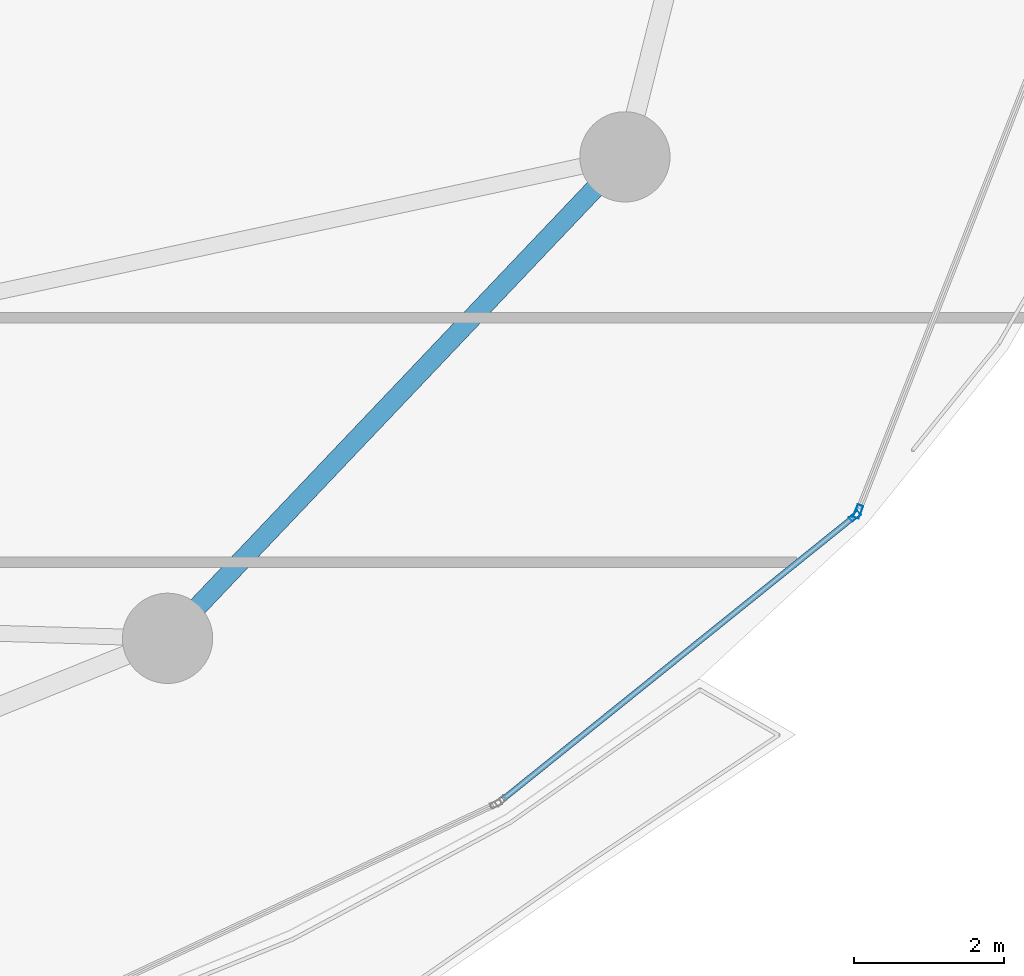
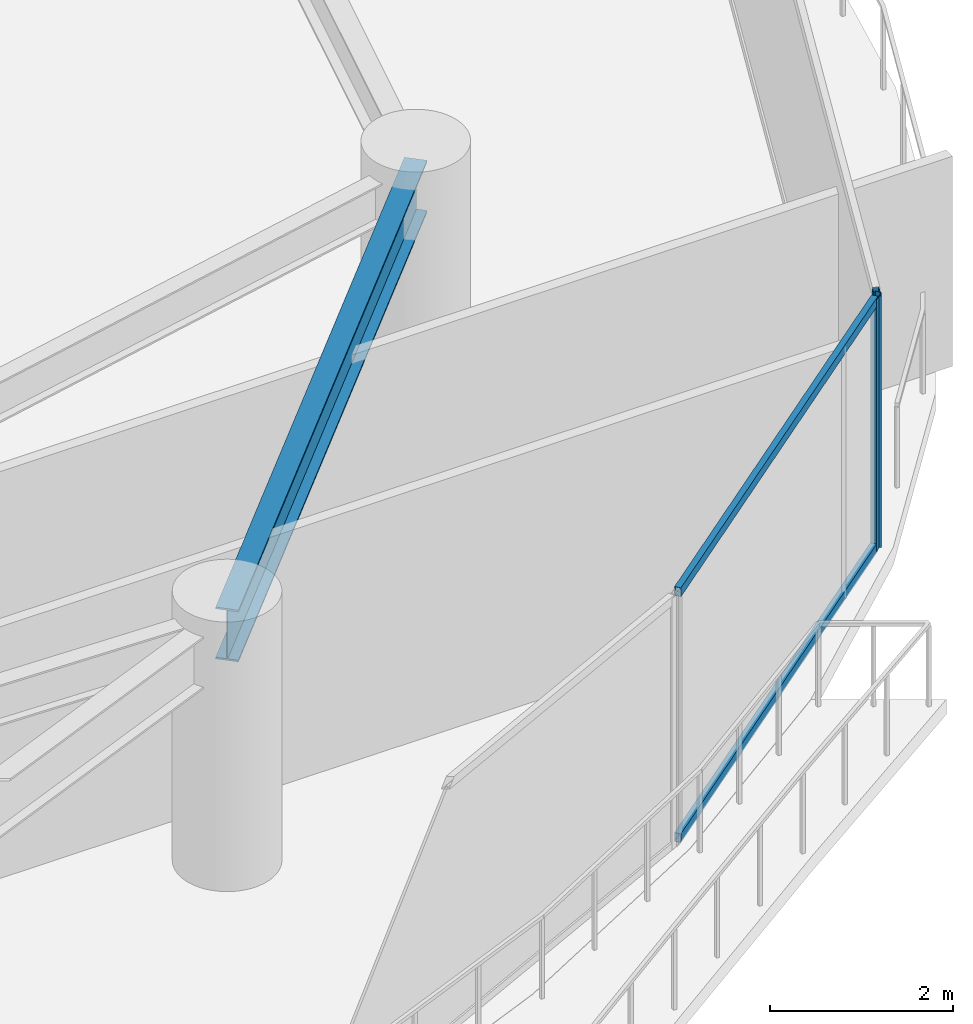
# One storey, part 15 of 33: 4 members, 1 beam, 2 elements without a shape of their own.
"""IFC4 building model written with IfcOpenShell, lengths in metres."""

from ifc_helpers import new_model, si_unit, direction, frame, origin, origin_2d, place, context, subcontext, project, spatial, hollow_rectangle, i_section, extrude, material, layer, layer_set, material_profile, profile_set, type_object, element, aggregate, save


model = new_model("IFC4")

# Units and contexts
model_context = context("Model", 3, precision=1e-05, world=origin(), true_north=direction((0.0, 1.0)))
body_context = subcontext(model_context, "Body", "Model", "MODEL_VIEW")
ifc_project = project(units=[si_unit("LENGTHUNIT", "METRE"), si_unit("AREAUNIT", "SQUARE_METRE"), si_unit("VOLUMEUNIT", "CUBIC_METRE"), si_unit("PLANEANGLEUNIT", "RADIAN"), si_unit("MASSUNIT", "GRAM", prefix="KILO")], contexts=[model_context])

# Site, building, storey
site_placement = place(None, origin())
site = spatial("IfcSite", under=ifc_project, at=site_placement, CompositionType="ELEMENT")
building_placement = place(site_placement, origin())
building = spatial("IfcBuilding", under=site, at=building_placement, Name="Kazevale Care Tower and Concert Hall", CompositionType="ELEMENT")
storey_placement = place(building_placement, frame((0.0, 0.0, 153.0)))
storey = spatial("IfcBuildingStorey", under=building, at=storey_placement, Name="L40", CompositionType="ELEMENT", Elevation=153.0)

# Curtain wall, member
ifc_material_1 = material(Name="Aluminium 6063-T6 and Low-E Glass", Category="aluminium")
ifc_layer_1 = layer(ifc_material_1, 0.179931640625)
ifc_layer_set_1 = layer_set([ifc_layer_1], Name="Aluminium 6063-T6 and Low-E Glass")
curtain_wall_type_1 = type_object("IfcCurtainWallType", Name="Waist & Upper Residential Curtain Wall CW-4", PredefinedType="NOTDEFINED", material=ifc_layer_set_1)
curtain_wall_1_placement = place(storey_placement, origin())
curtain_wall_1 = element("IfcCurtainWall", 1, at=curtain_wall_1_placement, inside=storey, type_object=curtain_wall_type_1, Name="cw:L40:f01", PredefinedType="NOTDEFINED")
ifc_material_2 = material(Name="Aluminium 6063-T6", Category="aluminium")
ifc_material_profile_1 = material_profile(ifc_material_2, hollow_rectangle(XDim=0.080078125, YDim=0.179931640625, WallThickness=0.0048828125, at=origin_2d()), Name="ALU80x180x5")
ifc_profile_set_1 = profile_set([ifc_material_profile_1], Name="Aluminium 6063-T6")
member_type_1 = type_object("IfcMemberType", Name="CW-4 Mullion ALU80x180x5", PredefinedType="MULLION", material=ifc_profile_set_1)
member_1_placement = place(storey_placement, frame((74.010498046875, 24.67529296875, 0.0), z_axis=(0.0, 0.0, 1.0), x_axis=(0.931351746651, -0.36412075471, 0.0)))
member_1 = element("IfcMember", 2, at=member_1_placement, type_object=member_type_1, Name="CW-4 mullion 2", PredefinedType="MULLION", context=body_context, shape_type="SweptSolid", body=[
    extrude(hollow_rectangle(XDim=0.080078125, YDim=0.179931640625, WallThickness=0.0048828125, at=origin_2d()), origin(), (0.0, 0.0, 1.0), 3.360107421875),
])
aggregate(curtain_wall_1, [member_1])

# Curtain wall, members
ifc_layer_2 = layer(ifc_material_1, 0.179931640625)
ifc_layer_set_2 = layer_set([ifc_layer_2], Name="Aluminium 6063-T6 and Low-E Glass")
curtain_wall_type_2 = type_object("IfcCurtainWallType", Name="Sheltered Concave Balcony Curtain Wall CW-5", PredefinedType="NOTDEFINED", material=ifc_layer_set_2)
curtain_wall_2_placement = place(storey_placement, origin())
curtain_wall_2 = element("IfcCurtainWall", 3, at=curtain_wall_2_placement, inside=storey, type_object=curtain_wall_type_2, Name="cw:L40:f02", PredefinedType="NOTDEFINED")
ifc_material_profile_2 = material_profile(ifc_material_2, hollow_rectangle(XDim=0.074951171875, YDim=0.14990234375, WallThickness=0.00390625, at=origin_2d()), Name="ALU75x150x4")
ifc_profile_set_2 = profile_set([ifc_material_profile_2], Name="Aluminium 6063-T6")
member_type_2 = type_object("IfcMemberType", Name="CW-5 Mullion ALU75x150x4", PredefinedType="MULLION", material=ifc_profile_set_2)
member_2_placement = place(storey_placement, frame((73.966796875, 24.614501953125, 0.0), z_axis=(0.0, 0.0, 1.0), x_axis=(0.626905357502, -0.779095419531, 0.0)))
member_2 = element("IfcMember", 4, at=member_2_placement, type_object=member_type_2, Name="CW-5 mullion 1", PredefinedType="MULLION", context=body_context, shape_type="SweptSolid", body=[
    extrude(hollow_rectangle(XDim=0.074951171875, YDim=0.14990234375, WallThickness=0.00390625, at=origin_2d()), origin(), (0.0, 0.0, 1.0), 3.360107421875),
])
ifc_material_profile_3 = material_profile(ifc_material_2, hollow_rectangle(XDim=0.074951171875, YDim=0.1201171875, WallThickness=0.00390625, at=origin_2d()), Name="ALU75x120x4")
ifc_profile_set_3 = profile_set([ifc_material_profile_3], Name="Aluminium 6063-T6")
member_type_3 = type_object("IfcMemberType", Name="CW-5 Transom ALU75x120x4", PredefinedType="USERDEFINED", material=ifc_profile_set_3)
member_3_placement = place(storey_placement, frame((73.9375, 24.591064453125, 0.03759765625), z_axis=(-0.779097461373, -0.626902819966, 0.0), x_axis=(0.626902819966, -0.779097461373, 0.0)))
member_3 = element("IfcMember", 5, at=member_3_placement, type_object=member_type_3, Name="CW-5 transom 1.1", ObjectType="TRANSOM", PredefinedType="USERDEFINED", context=body_context, shape_type="SweptSolid", body=[
    extrude(hollow_rectangle(XDim=0.074951171875, YDim=0.1201171875, WallThickness=0.00390625, at=origin_2d()), origin(), (0.0, 0.0, 1.0), 5.96728515625),
])
member_4_placement = place(storey_placement, frame((73.9375, 24.591064453125, 3.322509765625), z_axis=(-0.779097461373, -0.626902819966, 0.0), x_axis=(0.626902819966, -0.779097461373, 0.0)))
member_4 = element("IfcMember", 6, at=member_4_placement, type_object=member_type_3, Name="CW-5 transom 1.2", ObjectType="TRANSOM", PredefinedType="USERDEFINED", context=body_context, shape_type="SweptSolid", body=[
    extrude(hollow_rectangle(XDim=0.074951171875, YDim=0.1201171875, WallThickness=0.00390625, at=origin_2d()), origin(), (0.0, 0.0, 1.0), 5.96728515625),
])
aggregate(curtain_wall_2, [member_2, member_3, member_4])

# Beam
ifc_material_3 = material(Name="Steel ASTM A572 Gr 50", Category="steel")
ifc_material_profile_4 = material_profile(ifc_material_3, i_section(OverallWidth=0.256103515625, OverallDepth=0.693115234375, WebThickness=0.014404296875, FlangeThickness=0.023681640625, at=origin_2d()), Name="W690x170")
ifc_profile_set_4 = profile_set([ifc_material_profile_4], Name="Steel ASTM A572 Gr 50")
beam_type = type_object("IfcBeamType", Name="Waist Ring Beam W690x170", PredefinedType="BEAM", material=ifc_profile_set_4)
beam_placement = place(storey_placement, frame((64.830078125, 22.989990234375, 3.013427734375), z_axis=(0.688745100728, 0.725003576697, 0.0), x_axis=(-0.725003576697, 0.688745100728, 0.0)))
element("IfcBeam", 7, at=beam_placement, inside=storey, type_object=beam_type, Name="beam:L40:ring:15", PredefinedType="BEAM", context=body_context, shape_type="SweptSolid", body=[
    extrude(i_section(OverallWidth=0.256103515625, OverallDepth=0.693115234375, WebThickness=0.014404296875, FlangeThickness=0.023681640625, at=origin_2d()), origin(), (0.0, 0.0, 1.0), 8.827392578125),
])

save(model, "model.ifc")
